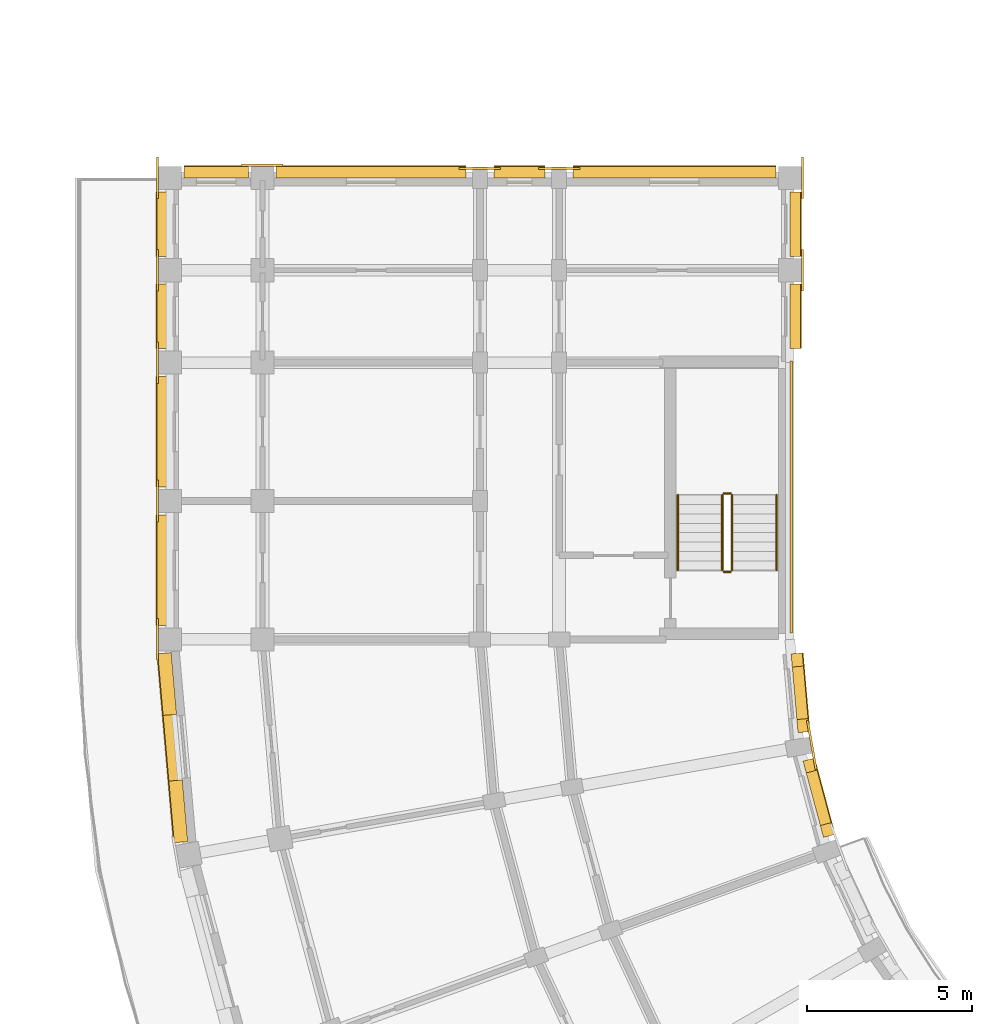
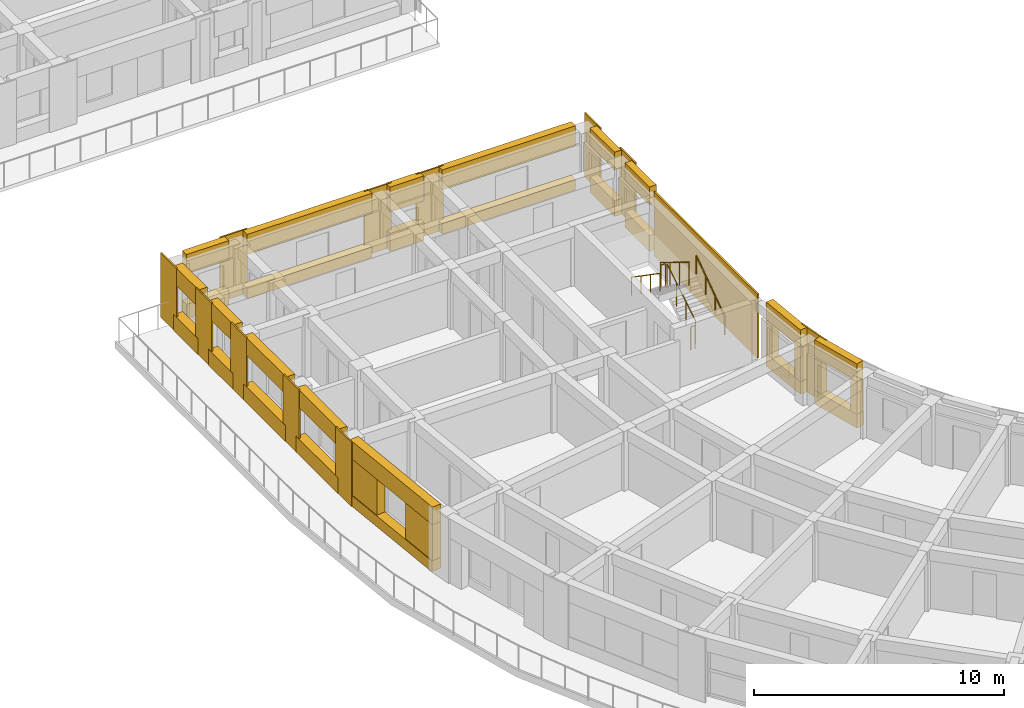
# One storey, part 42 of 54: 44 coverings, 6 railings.
"""IFC4 building model written with IfcOpenShell, lengths in metres."""

from ifc_helpers import new_model, si_unit, direction, frame, origin, origin_2d, place, context, subcontext, project, spatial, polyline, circle, outline, extrude, material, layer, layer_set, type_object, element, save


model = new_model("IFC4")

# Units and contexts
model_context = context("Model", 3, precision=1e-05, world=origin(), true_north=direction((0.0, 1.0)))
body_context = subcontext(model_context, "Body", "Model", "MODEL_VIEW")
ifc_project = project(units=[si_unit("LENGTHUNIT", "METRE"), si_unit("AREAUNIT", "SQUARE_METRE"), si_unit("VOLUMEUNIT", "CUBIC_METRE"), si_unit("PLANEANGLEUNIT", "RADIAN"), si_unit("MASSUNIT", "GRAM", prefix="KILO")], contexts=[model_context])

# Site, building, storey
site_placement = place(None, origin())
site = spatial("IfcSite", under=ifc_project, at=site_placement, CompositionType="ELEMENT")
building_placement = place(site_placement, origin())
building = spatial("IfcBuilding", under=site, at=building_placement, Name="Kiranvali Square Residences", CompositionType="ELEMENT")
storey_placement = place(building_placement, frame((0.0, 0.0, 27.60009765625)))
storey = spatial("IfcBuildingStorey", under=building, at=storey_placement, Name="L08", CompositionType="ELEMENT", Elevation=27.60009765625)

# Coverings
ifc_material_1 = material(Name="Honed Porbandar limestone ashlar facade cladding", Category="masonry")
ifc_layer_1 = layer(ifc_material_1, 0.3798828125)
ifc_layer_set_1 = layer_set([ifc_layer_1], Name="Honed Porbandar limestone ashlar facade cladding")
covering_type_1 = type_object("IfcCoveringType", Name="COV-CLAD-JAMB", PredefinedType="CLADDING", material=ifc_layer_set_1)
covering_1_placement = place(storey_placement, frame((0.0, 0.0, 0.52978515625)))
element("IfcCovering", 1, at=covering_1_placement, inside=storey, type_object=covering_type_1, Name="L08 deep limestone window jamb reveal C-L08-CRV-08.L", PredefinedType="CLADDING", context=body_context, shape_type="SweptSolid", body=[
    extrude(outline(polyline([(11.135986328125, 42.0693359375), (10.97216796875, 43.939208984375), (10.564208984375, 43.903564453125), (10.72802734375, 42.03369140625), (11.135986328125, 42.0693359375)])), origin(), (0.0, 0.0, 1.0), 1.75),
])
covering_2_placement = place(storey_placement, frame((0.0, 0.0, 0.52978515625)))
element("IfcCovering", 2, at=covering_2_placement, inside=storey, type_object=covering_type_1, Name="L08 deep limestone window jamb reveal C-L08-CRV-08.R", PredefinedType="CLADDING", context=body_context, shape_type="SweptSolid", body=[
    extrude(outline(polyline([(10.7978515625, 45.931640625), (10.63427734375, 47.801513671875), (10.226318359375, 47.765869140625), (10.39013671875, 45.89599609375), (10.7978515625, 45.931640625)])), origin(), (0.0, 0.0, 1.0), 1.75),
])
covering_3_placement = place(storey_placement, frame((0.0, 0.0, 0.671875)))
element("IfcCovering", 3, at=covering_3_placement, inside=storey, type_object=covering_type_1, Name="L08 deep limestone window jamb reveal C-L08-GDN-07.L", PredefinedType="CLADDING", context=body_context, shape_type="SweptSolid", body=[
    extrude(outline(polyline([(30.748291015625, 42.282958984375), (30.651611328125, 42.643798828125), (30.32373046875, 42.555908203125), (30.42041015625, 42.195068359375), (30.748291015625, 42.282958984375)])), origin(), (0.0, 0.0, 1.0), 1.60009765625),
])
covering_4_placement = place(storey_placement, frame((0.0, 0.0, 0.671875)))
element("IfcCovering", 4, at=covering_4_placement, inside=storey, type_object=covering_type_1, Name="L08 deep limestone window jamb reveal C-L08-GDN-07.R", PredefinedType="CLADDING", context=body_context, shape_type="SweptSolid", body=[
    extrude(outline(polyline([(30.224609375, 44.237548828125), (30.1279296875, 44.598388671875), (29.800048828125, 44.510498046875), (29.896728515625, 44.149658203125), (30.224609375, 44.237548828125)])), origin(), (0.0, 0.0, 1.0), 1.60009765625),
])
covering_5_placement = place(storey_placement, frame((0.0, 0.0, 0.621826171875)))
element("IfcCovering", 5, at=covering_5_placement, inside=storey, type_object=covering_type_1, Name="L08 deep limestone window jamb reveal C-L08-GDN-08.L", PredefinedType="CLADDING", context=body_context, shape_type="SweptSolid", body=[
    extrude(outline(polyline([(29.986083984375, 45.4033203125), (29.951171875, 45.80029296875), (29.613037109375, 45.770751953125), (29.647705078125, 45.373779296875), (29.986083984375, 45.4033203125)])), origin(), (0.0, 0.0, 1.0), 1.650146484375),
])
covering_6_placement = place(storey_placement, frame((0.0, 0.0, 0.621826171875)))
element("IfcCovering", 6, at=covering_6_placement, inside=storey, type_object=covering_type_1, Name="L08 deep limestone window jamb reveal C-L08-GDN-08.R", PredefinedType="CLADDING", context=body_context, shape_type="SweptSolid", body=[
    extrude(outline(polyline([(29.811767578125, 47.394287109375), (29.777099609375, 47.791259765625), (29.43896484375, 47.76171875), (29.4736328125, 47.36474609375), (29.811767578125, 47.394287109375)])), origin(), (0.0, 0.0, 1.0), 1.650146484375),
])
ifc_layer_2 = layer(ifc_material_1, 0.06494140625)
ifc_layer_set_2 = layer_set([ifc_layer_2], Name="Honed Porbandar limestone ashlar facade cladding")
covering_type_2 = type_object("IfcCoveringType", Name="COV-CLAD-PIER", PredefinedType="CLADDING", material=ifc_layer_set_2)
covering_7_placement = place(storey_placement, frame((0.0, 0.0, 0.0048828125)))
element("IfcCovering", 7, at=covering_7_placement, inside=storey, type_object=covering_type_2, Name="L08 Classical limestone corner pilaster CLAD-PR-C-L08-A09", PredefinedType="CLADDING", context=body_context, shape_type="SweptSolid", body=[
    extrude(outline(polyline([(10.181884765625, 48.830078125), (10.181884765625, 47.570068359375), (10.24951171875, 47.570068359375), (10.24951171875, 48.830078125), (10.181884765625, 48.830078125)])), origin(), (0.0, 0.0, 1.0), 3.14013671875),
])
covering_8_placement = place(storey_placement, frame((0.0, 0.0, 0.0048828125)))
element("IfcCovering", 8, at=covering_8_placement, inside=storey, type_object=covering_type_2, Name="Block C L08 Arm 2 stair limestone ashlar cladding", PredefinedType="CLADDING", context=body_context, shape_type="SweptSolid", body=[
    extrude(outline(polyline([(29.47998046875, 48.39990234375), (29.47998046875, 56.64990234375), (29.402099609375, 56.64990234375), (29.402099609375, 48.39990234375), (29.47998046875, 48.39990234375)])), origin(), (0.0, 0.0, 1.0), 3.14013671875),
])
ifc_layer_3 = layer(ifc_material_1, 0.050048828125)
ifc_layer_set_3 = layer_set([ifc_layer_3], Name="Honed Porbandar limestone ashlar facade cladding")
covering_type_3 = type_object("IfcCoveringType", Name="COV-CLAD-PIER-IN", PredefinedType="CLADDING", material=ifc_layer_set_3)
covering_9_placement = place(storey_placement, frame((0.0, 0.0, 0.0048828125)))
element("IfcCovering", 9, at=covering_9_placement, inside=storey, type_object=covering_type_3, Name="L08 Classical garden courtyard pilaster CLAD-PRIN-C-L08-A08", PredefinedType="CLADDING", context=body_context, shape_type="SweptSolid", body=[
    extrude(outline(polyline([(30.2275390625, 44.269287109375), (29.967041015625, 45.74658203125), (29.900634765625, 45.73486328125), (30.1611328125, 44.257568359375), (30.2275390625, 44.269287109375)])), origin(), (0.0, 0.0, 1.0), 3.14013671875),
])
covering_10_placement = place(storey_placement, frame((0.0, 0.0, 0.0048828125)))
element("IfcCovering", 10, at=covering_10_placement, inside=storey, type_object=covering_type_3, Name="L08 Classical limestone pilaster casing CLAD-PRA2I-C-L08-V112", PredefinedType="CLADDING", context=body_context, shape_type="SweptSolid", body=[
    extrude(outline(polyline([(29.818115234375, 58.77001953125), (29.818115234375, 60.030029296875), (29.75048828125, 60.030029296875), (29.75048828125, 58.77001953125), (29.818115234375, 58.77001953125)])), origin(), (0.0, 0.0, 1.0), 3.14013671875),
])
covering_11_placement = place(storey_placement, frame((0.0, 0.0, 0.0048828125)))
element("IfcCovering", 11, at=covering_11_placement, inside=storey, type_object=covering_type_3, Name="L08 Classical limestone pilaster casing CLAD-PRA2I-C-L08-V140", PredefinedType="CLADDING", context=body_context, shape_type="SweptSolid", body=[
    extrude(outline(polyline([(29.818115234375, 61.570068359375), (29.818115234375, 62.830078125), (29.75048828125, 62.830078125), (29.75048828125, 61.570068359375), (29.818115234375, 61.570068359375)])), origin(), (0.0, 0.0, 1.0), 3.14013671875),
])
ifc_layer_4 = layer(ifc_material_1, 0.054931640625)
ifc_layer_set_4 = layer_set([ifc_layer_4], Name="Honed Porbandar limestone ashlar facade cladding")
covering_type_4 = type_object("IfcCoveringType", Name="COV-CLAD-PIER-UP", PredefinedType="CLADDING", material=ifc_layer_set_4)
covering_12_placement = place(storey_placement, frame((0.0, 0.0, 0.0048828125)))
element("IfcCovering", 12, at=covering_12_placement, inside=storey, type_object=covering_type_4, Name="L08 Classical limestone pilaster casing CLAD-PR-C-L08-V42", PredefinedType="CLADDING", context=body_context, shape_type="SweptSolid", body=[
    extrude(outline(polyline([(10.24951171875, 51.77001953125), (10.24951171875, 53.030029296875), (10.181884765625, 53.030029296875), (10.181884765625, 51.77001953125), (10.24951171875, 51.77001953125)])), origin(), (0.0, 0.0, 1.0), 3.14013671875),
])
covering_13_placement = place(storey_placement, frame((0.0, 0.0, 0.0048828125)))
element("IfcCovering", 13, at=covering_13_placement, inside=storey, type_object=covering_type_4, Name="L08 Classical limestone pilaster casing CLAD-PR-C-L08-V84", PredefinedType="CLADDING", context=body_context, shape_type="SweptSolid", body=[
    extrude(outline(polyline([(10.24951171875, 55.969970703125), (10.24951171875, 57.22998046875), (10.181884765625, 57.22998046875), (10.181884765625, 55.969970703125), (10.24951171875, 55.969970703125)])), origin(), (0.0, 0.0, 1.0), 3.14013671875),
])
covering_14_placement = place(storey_placement, frame((0.0, 0.0, 0.0048828125)))
element("IfcCovering", 14, at=covering_14_placement, inside=storey, type_object=covering_type_4, Name="L08 Classical limestone pilaster casing CLAD-PR-C-L08-V112", PredefinedType="CLADDING", context=body_context, shape_type="SweptSolid", body=[
    extrude(outline(polyline([(10.24951171875, 58.77001953125), (10.24951171875, 60.030029296875), (10.181884765625, 60.030029296875), (10.181884765625, 58.77001953125), (10.24951171875, 58.77001953125)])), origin(), (0.0, 0.0, 1.0), 3.14013671875),
])
covering_15_placement = place(storey_placement, frame((0.0, 0.0, 0.0048828125)))
element("IfcCovering", 15, at=covering_15_placement, inside=storey, type_object=covering_type_4, Name="L08 Classical limestone pilaster casing CLAD-PR-C-L08-V140", PredefinedType="CLADDING", context=body_context, shape_type="SweptSolid", body=[
    extrude(outline(polyline([(10.24951171875, 61.570068359375), (10.24951171875, 62.830078125), (10.181884765625, 62.830078125), (10.181884765625, 61.570068359375), (10.24951171875, 61.570068359375)])), origin(), (0.0, 0.0, 1.0), 3.14013671875),
])
covering_16_placement = place(storey_placement, frame((0.0, 0.0, 0.0048828125)))
element("IfcCovering", 16, at=covering_16_placement, inside=storey, type_object=covering_type_4, Name="L08 Classical limestone pilaster casing CLAD-PRA2E-C-L08-R258", PredefinedType="CLADDING", context=body_context, shape_type="SweptSolid", body=[
    extrude(outline(polyline([(23.030029296875, 62.51806640625), (21.77001953125, 62.51806640625), (21.77001953125, 62.450439453125), (23.030029296875, 62.450439453125), (23.030029296875, 62.51806640625)])), origin(), (0.0, 0.0, 1.0), 3.14013671875),
])
covering_17_placement = place(storey_placement, frame((0.0, 0.0, 0.0048828125)))
element("IfcCovering", 17, at=covering_17_placement, inside=storey, type_object=covering_type_4, Name="L08 Classical limestone pilaster casing CLAD-PRA2E-C-L08-R282", PredefinedType="CLADDING", context=body_context, shape_type="SweptSolid", body=[
    extrude(outline(polyline([(20.6298828125, 62.51806640625), (19.3701171875, 62.51806640625), (19.3701171875, 62.450439453125), (20.6298828125, 62.450439453125), (20.6298828125, 62.51806640625)])), origin(), (0.0, 0.0, 1.0), 3.14013671875),
])
covering_18_placement = place(storey_placement, frame((0.0, 0.0, 0.0048828125)))
element("IfcCovering", 18, at=covering_18_placement, inside=storey, type_object=covering_type_4, Name="L08 Classical limestone pilaster casing CLAD-PRA2E-C-L08-R348", PredefinedType="CLADDING", context=body_context, shape_type="SweptSolid", body=[
    extrude(outline(polyline([(14.030029296875, 62.617919921875), (12.77001953125, 62.617919921875), (12.77001953125, 62.550537109375), (14.030029296875, 62.550537109375), (14.030029296875, 62.617919921875)])), origin(), (0.0, 0.0, 1.0), 3.14013671875),
])
ifc_layer_5 = layer(ifc_material_1, 0.360107421875)
ifc_layer_set_5 = layer_set([ifc_layer_5], Name="Honed Porbandar limestone ashlar facade cladding")
covering_type_5 = type_object("IfcCoveringType", Name="COV-CLAD-WALL", PredefinedType="CLADDING", material=ifc_layer_set_5)
covering_19_placement = place(storey_placement, frame((0.0, 0.0, 2.27978515625)))
element("IfcCovering", 19, at=covering_19_placement, inside=storey, type_object=covering_type_5, Name="L08 light limestone spandrel lintel C-L08-CRV-08", PredefinedType="CLADDING", context=body_context, shape_type="SweptSolid", body=[
    extrude(outline(polyline([(11.135986328125, 42.0693359375), (10.63427734375, 47.801513671875), (10.226318359375, 47.765869140625), (10.72802734375, 42.03369140625), (11.135986328125, 42.0693359375)])), origin(), (0.0, 0.0, 1.0), 0.865234375),
])
covering_20_placement = place(storey_placement, frame((0.0, 0.0, 0.0048828125)))
element("IfcCovering", 20, at=covering_20_placement, inside=storey, type_object=covering_type_5, Name="L08 limestone window sill apron C-L08-CRV-08", PredefinedType="CLADDING", context=body_context, shape_type="SweptSolid", body=[
    extrude(outline(polyline([(11.135986328125, 42.0693359375), (10.63427734375, 47.801513671875), (10.196533203125, 47.76318359375), (10.697998046875, 42.031005859375), (11.135986328125, 42.0693359375)])), origin(), (0.0, 0.0, 1.0), 0.52490234375),
])
covering_21_placement = place(storey_placement, frame((0.0, 0.0, 2.27197265625)))
element("IfcCovering", 21, at=covering_21_placement, inside=storey, type_object=covering_type_5, Name="L08 light limestone spandrel lintel C-L08-GDN-07", PredefinedType="CLADDING", context=body_context, shape_type="SweptSolid", body=[
    extrude(outline(polyline([(30.748291015625, 42.282958984375), (30.1279296875, 44.598388671875), (29.800048828125, 44.510498046875), (30.42041015625, 42.195068359375), (30.748291015625, 42.282958984375)])), origin(), (0.0, 0.0, 1.0), 0.873046875),
])
covering_22_placement = place(storey_placement, frame((0.0, 0.0, 2.27197265625)))
element("IfcCovering", 22, at=covering_22_placement, inside=storey, type_object=covering_type_5, Name="L08 light limestone spandrel lintel C-L08-GDN-08", PredefinedType="CLADDING", context=body_context, shape_type="SweptSolid", body=[
    extrude(outline(polyline([(29.986083984375, 45.4033203125), (29.777099609375, 47.791259765625), (29.43896484375, 47.76171875), (29.647705078125, 45.373779296875), (29.986083984375, 45.4033203125)])), origin(), (0.0, 0.0, 1.0), 0.873046875),
])
covering_23_placement = place(storey_placement, frame((0.0, 0.0, 2.27978515625)))
element("IfcCovering", 23, at=covering_23_placement, inside=storey, type_object=covering_type_5, Name="L08 light limestone spandrel lintel C-L08-A2O-0", PredefinedType="CLADDING", context=body_context, shape_type="SweptSolid", body=[
    extrude(outline(polyline([(10.599609375, 48.6201171875), (10.599609375, 51.97998046875), (10.199951171875, 51.97998046875), (10.199951171875, 48.6201171875), (10.599609375, 48.6201171875)])), origin(), (0.0, 0.0, 1.0), 0.865234375),
])
covering_24_placement = place(storey_placement, frame((0.0, 0.0, 0.0048828125)))
element("IfcCovering", 24, at=covering_24_placement, inside=storey, type_object=covering_type_5, Name="L08 limestone window sill apron C-L08-A2O-0", PredefinedType="CLADDING", context=body_context, shape_type="SweptSolid", body=[
    extrude(outline(polyline([(10.599609375, 48.6201171875), (10.599609375, 51.97998046875), (10.169921875, 51.97998046875), (10.169921875, 48.6201171875), (10.599609375, 48.6201171875)])), origin(), (0.0, 0.0, 1.0), 0.77490234375),
])
covering_25_placement = place(storey_placement, frame((0.0, 0.0, 2.27978515625)))
element("IfcCovering", 25, at=covering_25_placement, inside=storey, type_object=covering_type_5, Name="L08 light limestone spandrel lintel C-L08-A2O-1", PredefinedType="CLADDING", context=body_context, shape_type="SweptSolid", body=[
    extrude(outline(polyline([(10.599609375, 52.820068359375), (10.599609375, 56.179931640625), (10.199951171875, 56.179931640625), (10.199951171875, 52.820068359375), (10.599609375, 52.820068359375)])), origin(), (0.0, 0.0, 1.0), 0.865234375),
])
covering_26_placement = place(storey_placement, frame((0.0, 0.0, 0.0048828125)))
element("IfcCovering", 26, at=covering_26_placement, inside=storey, type_object=covering_type_5, Name="L08 limestone window sill apron C-L08-A2O-1", PredefinedType="CLADDING", context=body_context, shape_type="SweptSolid", body=[
    extrude(outline(polyline([(10.599609375, 52.820068359375), (10.599609375, 56.179931640625), (10.169921875, 56.179931640625), (10.169921875, 52.820068359375), (10.599609375, 52.820068359375)])), origin(), (0.0, 0.0, 1.0), 0.77490234375),
])
covering_27_placement = place(storey_placement, frame((0.0, 0.0, 2.27978515625)))
element("IfcCovering", 27, at=covering_27_placement, inside=storey, type_object=covering_type_5, Name="L08 light limestone spandrel lintel C-L08-A2O-2", PredefinedType="CLADDING", context=body_context, shape_type="SweptSolid", body=[
    extrude(outline(polyline([(10.599609375, 57.02001953125), (10.599609375, 58.97998046875), (10.199951171875, 58.97998046875), (10.199951171875, 57.02001953125), (10.599609375, 57.02001953125)])), origin(), (0.0, 0.0, 1.0), 0.865234375),
])
covering_28_placement = place(storey_placement, frame((0.0, 0.0, 0.0048828125)))
element("IfcCovering", 28, at=covering_28_placement, inside=storey, type_object=covering_type_5, Name="L08 limestone window sill apron C-L08-A2O-2", PredefinedType="CLADDING", context=body_context, shape_type="SweptSolid", body=[
    extrude(outline(polyline([(10.599609375, 57.02001953125), (10.599609375, 58.97998046875), (10.169921875, 58.97998046875), (10.169921875, 57.02001953125), (10.599609375, 57.02001953125)])), origin(), (0.0, 0.0, 1.0), 0.77490234375),
])
covering_29_placement = place(storey_placement, frame((0.0, 0.0, 2.27978515625)))
element("IfcCovering", 29, at=covering_29_placement, inside=storey, type_object=covering_type_5, Name="L08 light limestone spandrel lintel C-L08-A2O-3", PredefinedType="CLADDING", context=body_context, shape_type="SweptSolid", body=[
    extrude(outline(polyline([(10.599609375, 59.820068359375), (10.599609375, 61.780029296875), (10.199951171875, 61.780029296875), (10.199951171875, 59.820068359375), (10.599609375, 59.820068359375)])), origin(), (0.0, 0.0, 1.0), 0.865234375),
])
covering_30_placement = place(storey_placement, frame((0.0, 0.0, 0.0048828125)))
element("IfcCovering", 30, at=covering_30_placement, inside=storey, type_object=covering_type_5, Name="L08 limestone window sill apron C-L08-A2O-3", PredefinedType="CLADDING", context=body_context, shape_type="SweptSolid", body=[
    extrude(outline(polyline([(10.599609375, 59.820068359375), (10.599609375, 61.780029296875), (10.169921875, 61.780029296875), (10.169921875, 59.820068359375), (10.599609375, 59.820068359375)])), origin(), (0.0, 0.0, 1.0), 0.77490234375),
])
covering_31_placement = place(storey_placement, frame((0.0, 0.0, 2.27197265625)))
element("IfcCovering", 31, at=covering_31_placement, inside=storey, type_object=covering_type_5, Name="L08 light limestone spandrel lintel C-L08-A2I-0", PredefinedType="CLADDING", context=body_context, shape_type="SweptSolid", body=[
    extrude(outline(polyline([(29.719970703125, 57.02001953125), (29.719970703125, 58.97998046875), (29.400390625, 58.97998046875), (29.400390625, 57.02001953125), (29.719970703125, 57.02001953125)])), origin(), (0.0, 0.0, 1.0), 0.873046875),
])
covering_32_placement = place(storey_placement, frame((0.0, 0.0, 0.0048828125)))
element("IfcCovering", 32, at=covering_32_placement, inside=storey, type_object=covering_type_5, Name="L08 limestone window sill apron C-L08-A2I-0", PredefinedType="CLADDING", context=body_context, shape_type="SweptSolid", body=[
    extrude(outline(polyline([(29.75, 57.02001953125), (29.75, 58.97998046875), (29.400390625, 58.97998046875), (29.400390625, 57.02001953125), (29.75, 57.02001953125)])), origin(), (0.0, 0.0, 1.0), 0.76708984375),
])
covering_33_placement = place(storey_placement, frame((0.0, 0.0, 2.27197265625)))
element("IfcCovering", 33, at=covering_33_placement, inside=storey, type_object=covering_type_5, Name="L08 light limestone spandrel lintel C-L08-A2I-1", PredefinedType="CLADDING", context=body_context, shape_type="SweptSolid", body=[
    extrude(outline(polyline([(29.719970703125, 59.820068359375), (29.719970703125, 61.780029296875), (29.400390625, 61.780029296875), (29.400390625, 59.820068359375), (29.719970703125, 59.820068359375)])), origin(), (0.0, 0.0, 1.0), 0.873046875),
])
covering_34_placement = place(storey_placement, frame((0.0, 0.0, 0.0048828125)))
element("IfcCovering", 34, at=covering_34_placement, inside=storey, type_object=covering_type_5, Name="L08 limestone window sill apron C-L08-A2I-1", PredefinedType="CLADDING", context=body_context, shape_type="SweptSolid", body=[
    extrude(outline(polyline([(29.75, 59.820068359375), (29.75, 61.780029296875), (29.400390625, 61.780029296875), (29.400390625, 59.820068359375), (29.75, 59.820068359375)])), origin(), (0.0, 0.0, 1.0), 0.76708984375),
])
covering_35_placement = place(storey_placement, frame((0.0, 0.0, 2.171875)))
element("IfcCovering", 35, at=covering_35_placement, inside=storey, type_object=covering_type_5, Name="L08 light limestone spandrel lintel C-L08-A2END-0", PredefinedType="CLADDING", context=body_context, shape_type="SweptSolid", body=[
    extrude(outline(polyline([(28.97998046875, 62.5400390625), (22.820068359375, 62.5400390625), (22.820068359375, 62.200439453125), (28.97998046875, 62.200439453125), (28.97998046875, 62.5400390625)])), origin(), (0.0, 0.0, 1.0), 0.97314453125),
])
covering_36_placement = place(storey_placement, frame((0.0, 0.0, 0.0048828125)))
element("IfcCovering", 36, at=covering_36_placement, inside=storey, type_object=covering_type_5, Name="L08 limestone window sill apron C-L08-A2END-0", PredefinedType="CLADDING", context=body_context, shape_type="SweptSolid", body=[
    extrude(outline(polyline([(28.97998046875, 62.570068359375), (22.820068359375, 62.570068359375), (22.820068359375, 62.200439453125), (28.97998046875, 62.200439453125), (28.97998046875, 62.570068359375)])), origin(), (0.0, 0.0, 1.0), 0.51708984375),
])
covering_37_placement = place(storey_placement, frame((0.0, 0.0, 1.929931640625)))
element("IfcCovering", 37, at=covering_37_placement, inside=storey, type_object=covering_type_5, Name="L08 light limestone spandrel lintel C-L08-A2END-1", PredefinedType="CLADDING", context=body_context, shape_type="SweptSolid", body=[
    extrude(outline(polyline([(21.97998046875, 62.5400390625), (20.419921875, 62.5400390625), (20.419921875, 62.200439453125), (21.97998046875, 62.200439453125), (21.97998046875, 62.5400390625)])), origin(), (0.0, 0.0, 1.0), 1.215087890625),
])
covering_38_placement = place(storey_placement, frame((0.0, 0.0, 0.0048828125)))
element("IfcCovering", 38, at=covering_38_placement, inside=storey, type_object=covering_type_5, Name="L08 limestone window sill apron C-L08-A2END-1", PredefinedType="CLADDING", context=body_context, shape_type="SweptSolid", body=[
    extrude(outline(polyline([(21.97998046875, 62.570068359375), (20.419921875, 62.570068359375), (20.419921875, 62.200439453125), (21.97998046875, 62.200439453125), (21.97998046875, 62.570068359375)])), origin(), (0.0, 0.0, 1.0), 0.875),
])
covering_39_placement = place(storey_placement, frame((0.0, 0.0, 2.171875)))
element("IfcCovering", 39, at=covering_39_placement, inside=storey, type_object=covering_type_5, Name="L08 light limestone spandrel lintel C-L08-A2END-2", PredefinedType="CLADDING", context=body_context, shape_type="SweptSolid", body=[
    extrude(outline(polyline([(19.580078125, 62.5400390625), (13.820068359375, 62.5400390625), (13.820068359375, 62.200439453125), (19.580078125, 62.200439453125), (19.580078125, 62.5400390625)])), origin(), (0.0, 0.0, 1.0), 0.97314453125),
])
covering_40_placement = place(storey_placement, frame((0.0, 0.0, 0.0048828125)))
element("IfcCovering", 40, at=covering_40_placement, inside=storey, type_object=covering_type_5, Name="L08 limestone window sill apron C-L08-A2END-2", PredefinedType="CLADDING", context=body_context, shape_type="SweptSolid", body=[
    extrude(outline(polyline([(19.580078125, 62.570068359375), (13.820068359375, 62.570068359375), (13.820068359375, 62.200439453125), (19.580078125, 62.200439453125), (19.580078125, 62.570068359375)])), origin(), (0.0, 0.0, 1.0), 0.51708984375),
])
covering_41_placement = place(storey_placement, frame((0.0, 0.0, 2.2119140625)))
element("IfcCovering", 41, at=covering_41_placement, inside=storey, type_object=covering_type_5, Name="L08 light limestone spandrel lintel C-L08-A2END-3", PredefinedType="CLADDING", context=body_context, shape_type="SweptSolid", body=[
    extrude(outline(polyline([(12.97998046875, 62.5400390625), (11.02001953125, 62.5400390625), (11.02001953125, 62.200439453125), (12.97998046875, 62.200439453125), (12.97998046875, 62.5400390625)])), origin(), (0.0, 0.0, 1.0), 0.93310546875),
])
covering_42_placement = place(storey_placement, frame((0.0, 0.0, 0.0048828125)))
element("IfcCovering", 42, at=covering_42_placement, inside=storey, type_object=covering_type_5, Name="L08 limestone window sill apron C-L08-A2END-3", PredefinedType="CLADDING", context=body_context, shape_type="SweptSolid", body=[
    extrude(outline(polyline([(12.97998046875, 62.570068359375), (11.02001953125, 62.570068359375), (11.02001953125, 62.200439453125), (12.97998046875, 62.200439453125), (12.97998046875, 62.570068359375)])), origin(), (0.0, 0.0, 1.0), 0.70703125),
])
ifc_layer_6 = layer(ifc_material_1, 0.2900390625)
ifc_layer_set_6 = layer_set([ifc_layer_6], Name="Honed Porbandar limestone ashlar facade cladding")
covering_type_6 = type_object("IfcCoveringType", Name="COV-CLAD-WALL-IN", PredefinedType="CLADDING", material=ifc_layer_set_6)
covering_43_placement = place(storey_placement, frame((0.0, 0.0, 0.0048828125)))
element("IfcCovering", 43, at=covering_43_placement, inside=storey, type_object=covering_type_6, Name="L08 limestone window sill apron C-L08-GDN-07", PredefinedType="CLADDING", context=body_context, shape_type="SweptSolid", body=[
    extrude(outline(polyline([(30.77734375, 42.290771484375), (30.156982421875, 44.606201171875), (29.800048828125, 44.510498046875), (30.42041015625, 42.195068359375), (30.77734375, 42.290771484375)])), origin(), (0.0, 0.0, 1.0), 0.6669921875),
])
covering_44_placement = place(storey_placement, frame((0.0, 0.0, 0.0048828125)))
element("IfcCovering", 44, at=covering_44_placement, inside=storey, type_object=covering_type_6, Name="L08 limestone window sill apron C-L08-GDN-08", PredefinedType="CLADDING", context=body_context, shape_type="SweptSolid", body=[
    extrude(outline(polyline([(30.015869140625, 45.406005859375), (29.806884765625, 47.7939453125), (29.43896484375, 47.76171875), (29.647705078125, 45.373779296875), (30.015869140625, 45.406005859375)])), origin(), (0.0, 0.0, 1.0), 0.616943359375),
])

# Railings
ifc_material_2 = material(Name="Brushed stainless steel tubular handrail", Category="steel")
railing_type_1 = type_object("IfcRailingType", Name="RL-HANDRAIL-900", PredefinedType="HANDRAIL", material=ifc_material_2)
railing_1_placement = place(storey_placement, frame((29.0, 50.300048828125, 0.1748046875)))
element("IfcRailing", 45, at=railing_1_placement, inside=storey, type_object=railing_type_1, Name="L08 ST-C3 stair handrail 1", PredefinedType="HANDRAIL", context=body_context, shape_type="SweptSolid", body=[
    extrude(circle(Radius=0.02392578125, at=origin_2d()), frame((0.0, 0.0, 0.8759765625), z_axis=(0.0, 0.82274681792, 0.568408016835), x_axis=(-1.0, 0.0, 0.0)), (0.0, 0.0, 1.0), 2.771240234375),
    extrude(circle(Radius=0.02099609375, at=origin_2d()), origin(), (0.0, 0.0, 1.0), 0.851806640625),
    extrude(circle(Radius=0.02099609375, at=origin_2d()), frame((0.0, 0.760009765625, 0.525146484375)), (0.0, 0.0, 1.0), 0.851806640625),
    extrude(circle(Radius=0.02099609375, at=origin_2d()), frame((0.0, 1.52001953125, 1.050048828125)), (0.0, 0.0, 1.0), 0.851806640625),
    extrude(circle(Radius=0.02099609375, at=origin_2d()), frame((0.0, 2.280029296875, 1.5751953125)), (0.0, 0.0, 1.0), 0.851806640625),
])
railing_2_placement = place(storey_placement, frame((26.0, 52.580078125, 1.75)))
element("IfcRailing", 46, at=railing_2_placement, inside=storey, type_object=railing_type_1, Name="L08 ST-C3 stair handrail 2", PredefinedType="HANDRAIL", context=body_context, shape_type="SweptSolid", body=[
    extrude(circle(Radius=0.02392578125, at=origin_2d()), frame((0.0, 0.0, 0.8759765625), z_axis=(0.0, -0.82278801735, 0.568348377763), x_axis=(1.0, 0.0, 0.0)), (0.0, 0.0, 1.0), 2.77099609375),
    extrude(circle(Radius=0.02099609375, at=origin_2d()), origin(), (0.0, 0.0, 1.0), 0.851806640625),
    extrude(circle(Radius=0.02099609375, at=origin_2d()), frame((0.0, -0.760009765625, 0.52490234375)), (0.0, 0.0, 1.0), 0.851806640625),
    extrude(circle(Radius=0.02099609375, at=origin_2d()), frame((0.0, -1.52001953125, 1.050048828125)), (0.0, 0.0, 1.0), 0.851806640625),
    extrude(circle(Radius=0.02099609375, at=origin_2d()), frame((0.0, -2.280029296875, 1.574951171875)), (0.0, 0.0, 1.0), 0.851806640625),
])
ifc_material_3 = material(Name="Powder-coated architectural bronze balustrade", Category="steel")
railing_type_2 = type_object("IfcRailingType", Name="RL-ST-GUARD-1200", PredefinedType="GUARDRAIL", material=ifc_material_3)
railing_3_placement = place(storey_placement, frame((27.64990234375, 50.300048828125, 0.1748046875)))
element("IfcRailing", 47, at=railing_3_placement, inside=storey, type_object=railing_type_2, Name="L08 ST-C3 stair guard 1", PredefinedType="GUARDRAIL", context=body_context, shape_type="SweptSolid", body=[
    extrude(circle(Radius=0.02392578125, at=origin_2d()), frame((0.0, 0.0, 1.1259765625), z_axis=(0.0, 0.852149810458, 0.523297908018), x_axis=(-1.0, 0.0, 0.0)), (0.0, 0.0, 1.0), 2.675537109375),
    extrude(circle(Radius=0.02099609375, at=origin_2d()), origin(), (0.0, 0.0, 1.0), 1.101806640625),
    extrude(circle(Radius=0.02099609375, at=origin_2d()), frame((0.0, 0.760009765625, 0.466796875)), (0.0, 0.0, 1.0), 1.101806640625),
    extrude(circle(Radius=0.02099609375, at=origin_2d()), frame((0.0, 1.52001953125, 0.933349609375)), (0.0, 0.0, 1.0), 1.101806640625),
    extrude(circle(Radius=0.02099609375, at=origin_2d()), frame((0.0, 2.280029296875, 1.400146484375)), (0.0, 0.0, 1.0), 1.101806640625),
])
railing_4_placement = place(storey_placement, frame((27.60009765625, 52.6298828125, 1.574951171875)))
element("IfcRailing", 48, at=railing_4_placement, inside=storey, type_object=railing_type_2, Name="L08 ST-C3 stair guard 2", PredefinedType="GUARDRAIL", context=body_context, shape_type="SweptSolid", body=[
    extrude(circle(Radius=0.02392578125, at=origin_2d()), frame((0.0, 0.0, 1.1259765625), z_axis=(-1.0, 0.0, 0.0), x_axis=(0.0, -1.0, 0.0)), (0.0, 0.0, 1.0), 0.2001953125),
    extrude(circle(Radius=0.02099609375, at=origin_2d()), origin(), (0.0, 0.0, 1.0), 1.101806640625),
    extrude(circle(Radius=0.02099609375, at=origin_2d()), frame((-0.2001953125, 0.0, 0.0)), (0.0, 0.0, 1.0), 1.101806640625),
])
railing_5_placement = place(storey_placement, frame((27.35009765625, 52.580078125, 1.75)))
element("IfcRailing", 49, at=railing_5_placement, inside=storey, type_object=railing_type_2, Name="L08 ST-C3 stair guard 3", PredefinedType="GUARDRAIL", context=body_context, shape_type="SweptSolid", body=[
    extrude(circle(Radius=0.02392578125, at=origin_2d()), frame((0.0, 0.0, 1.1259765625), z_axis=(0.0, -0.852190499154, 0.523231643875), x_axis=(1.0, 0.0, 0.0)), (0.0, 0.0, 1.0), 2.675537109375),
    extrude(circle(Radius=0.02099609375, at=origin_2d()), origin(), (0.0, 0.0, 1.0), 1.101806640625),
    extrude(circle(Radius=0.02099609375, at=origin_2d()), frame((0.0, -0.760009765625, 0.466552734375)), (0.0, 0.0, 1.0), 1.101806640625),
    extrude(circle(Radius=0.02099609375, at=origin_2d()), frame((0.0, -1.52001953125, 0.933349609375)), (0.0, 0.0, 1.0), 1.101806640625),
    extrude(circle(Radius=0.02099609375, at=origin_2d()), frame((0.0, -2.280029296875, 1.39990234375)), (0.0, 0.0, 1.0), 1.101806640625),
])
railing_6_placement = place(storey_placement, frame((27.60009765625, 50.25, 0.0)))
element("IfcRailing", 50, at=railing_6_placement, inside=storey, type_object=railing_type_2, Name="L08 ST-C3 stair guard 4", PredefinedType="GUARDRAIL", context=body_context, shape_type="SweptSolid", body=[
    extrude(circle(Radius=0.02392578125, at=origin_2d()), frame((0.0, 0.0, 1.1259765625), z_axis=(-1.0, 0.0, 0.0), x_axis=(0.0, -1.0, 0.0)), (0.0, 0.0, 1.0), 0.2001953125),
    extrude(circle(Radius=0.02099609375, at=origin_2d()), origin(), (0.0, 0.0, 1.0), 1.101806640625),
    extrude(circle(Radius=0.02099609375, at=origin_2d()), frame((-0.2001953125, 0.0, 0.0)), (0.0, 0.0, 1.0), 1.101806640625),
])

save(model, "model.ifc")
